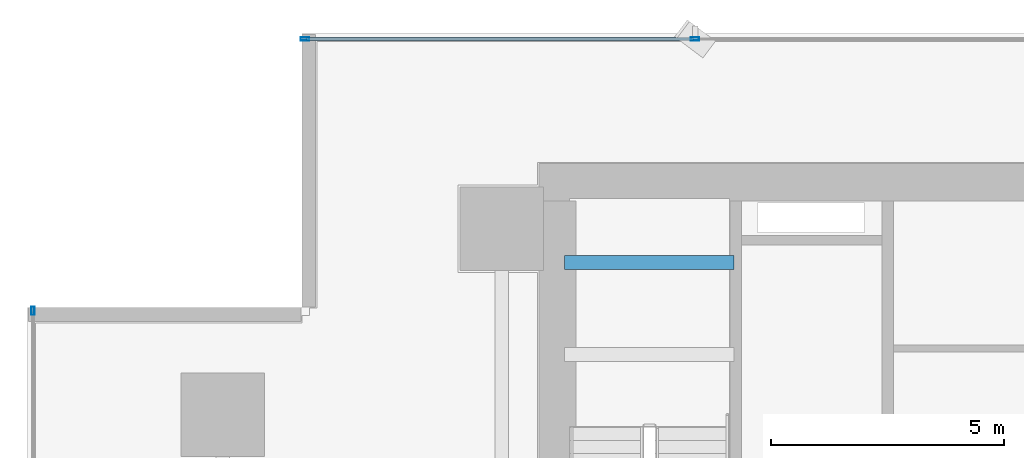
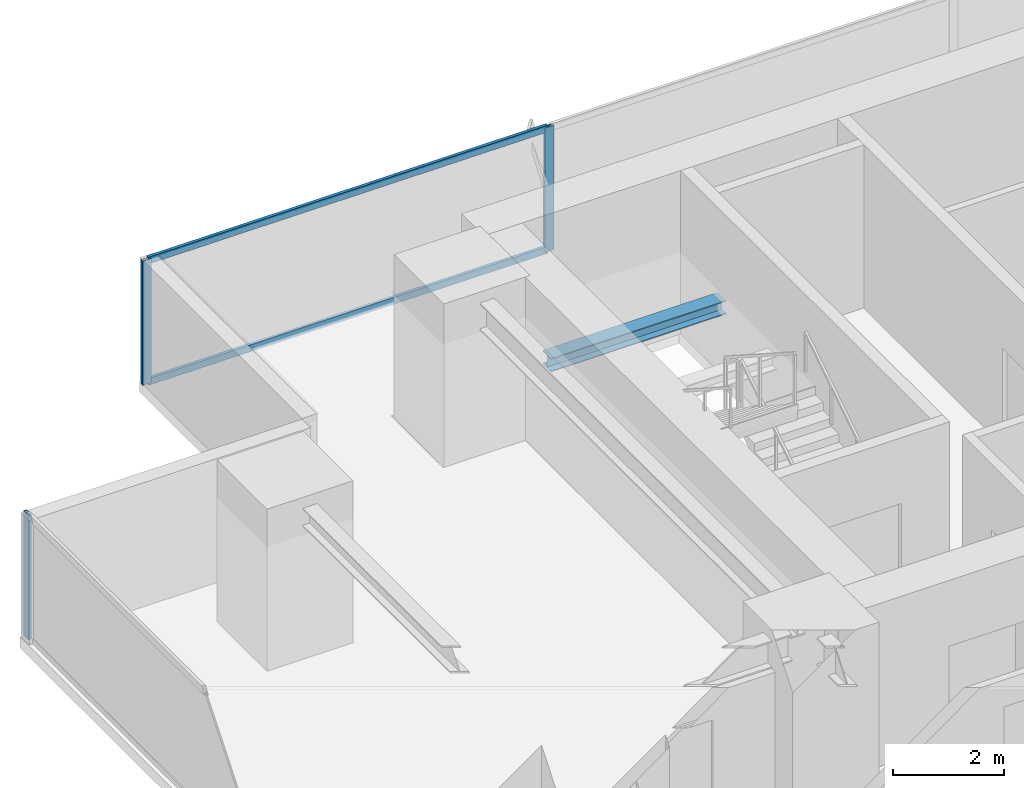
# One storey, part 17 of 32: 5 members, 1 beam, 2 elements without a shape of their own.
"""IFC4 building model written with IfcOpenShell, lengths in metres."""

from ifc_helpers import new_model, si_unit, direction, frame, origin, origin_2d, place, context, subcontext, project, spatial, hollow_rectangle, i_section, extrude, source, transform, mapped, material, layer, layer_set, material_profile, profile_set, type_object, element, aggregate, save


model = new_model("IFC4")

# Units and contexts
model_context = context("Model", 3, precision=1e-05, world=origin(), true_north=direction((0.0, 1.0)))
body_context = subcontext(model_context, "Body", "Model", "MODEL_VIEW")
ifc_project = project(units=[si_unit("LENGTHUNIT", "METRE"), si_unit("AREAUNIT", "SQUARE_METRE"), si_unit("VOLUMEUNIT", "CUBIC_METRE"), si_unit("PLANEANGLEUNIT", "RADIAN"), si_unit("MASSUNIT", "GRAM", prefix="KILO")], contexts=[model_context])

# Site, building, storey
site_placement = place(None, origin())
site = spatial("IfcSite", under=ifc_project, at=site_placement, CompositionType="ELEMENT")
building_placement = place(site_placement, origin())
building = spatial("IfcBuilding", under=site, at=building_placement, Name="Sumidabori Civic Tower", CompositionType="ELEMENT")
storey_placement = place(building_placement, frame((0.0, 0.0, 48.800048828125)))
storey = spatial("IfcBuildingStorey", under=building, at=storey_placement, Name="L12", CompositionType="ELEMENT", Elevation=48.800048828125)

# Beam
ifc_material_1 = material(Name="Steel SN490", Category="steel")
ifc_material_profile_1 = material_profile(ifc_material_1, i_section(OverallWidth=0.300048828125, OverallDepth=0.300048828125, WebThickness=0.010986328125, FlangeThickness=0.01904296875, at=origin_2d()), Name="HE 300 B")
ifc_profile_set_1 = profile_set([ifc_material_profile_1], Name="Steel SN490")
beam_type = type_object("IfcBeamType", Name="BM-LDG-300", PredefinedType="BEAM", material=ifc_profile_set_1)
shared_shape_1 = source(origin(), body_context, "Body", "SweptSolid", [
    extrude(i_section(OverallWidth=0.300048828125, OverallDepth=0.300048828125, WebThickness=0.010986328125, FlangeThickness=0.01904296875, at=origin_2d()), origin(), (0.0, 0.0, 1.0), 3.64990234375),
])
beam_placement = place(storey_placement, frame((-15.449951171875, 22.069580078125, 1.449951171875), z_axis=(1.0, 0.0, 0.0), x_axis=(0.0, 1.0, 0.0)))
element("IfcBeam", 1, at=beam_placement, inside=storey, type_object=beam_type, Name="Stair ST-1 Landing Trimmer Beam L12-1B", PredefinedType="BEAM", context=body_context, shape_type="MappedRepresentation", body=[
    mapped(shared_shape_1, transform((0.0, 0.0, 0.0), x_axis=(1.0, 0.0, 0.0), y_axis=(0.0, 1.0, 0.0), z_axis=(0.0, 0.0, 1.0), scale=1.0)),
])

# Curtain wall, members
ifc_material_2 = material(Name="Anodised Bronze Aluminium AW-6063-T6", Category="aluminium")
ifc_layer = layer(ifc_material_2, 0.179931640625, Name="Anodised Bronze Aluminium AW-6063-T6")
ifc_layer_set = layer_set([ifc_layer], Name="Anodised Bronze Aluminium AW-6063-T6")
curtain_wall_type = type_object("IfcCurtainWallType", Name="CW-SYS-2", PredefinedType="NOTDEFINED", material=ifc_layer_set)
curtain_wall_1_placement = place(storey_placement, origin())
curtain_wall_1 = element("IfcCurtainWall", 2, at=curtain_wall_1_placement, inside=storey, type_object=curtain_wall_type, Name="Curtain Wall CW:L12:R07", PredefinedType="NOTDEFINED")
ifc_material_profile_2 = material_profile(ifc_material_2, hollow_rectangle(XDim=0.070068359375, YDim=0.179931640625, WallThickness=0.006103515625, at=origin_2d()), Name="ALU MULLION 180x70")
ifc_profile_set_2 = profile_set([ifc_material_profile_2], Name="Anodised Bronze Aluminium AW-6063-T6")
member_type_1 = type_object("IfcMemberType", Name="CW-MUL-180", PredefinedType="MULLION", material=ifc_profile_set_2)
shared_shape_2 = source(origin(), body_context, "Body", "SweptSolid", [
    extrude(hollow_rectangle(XDim=0.070068359375, YDim=0.179931640625, WallThickness=0.006103515625, at=origin_2d()), origin(), (0.0, 0.0, 1.0), 2.739990234375),
])
member_1_placement = place(storey_placement, frame((-12.64208984375, 26.8798828125, 0.0), z_axis=(0.0, 0.0, 1.0), x_axis=(0.0, -1.0, 0.0)))
member_1 = element("IfcMember", 3, at=member_1_placement, type_object=member_type_1, Name="CW-2 mullion 5", PredefinedType="MULLION", context=body_context, shape_type="MappedRepresentation", body=[
    mapped(shared_shape_2, transform((0.0, 0.0, 0.0), x_axis=(1.0, 0.0, 0.0), y_axis=(0.0, 1.0, 0.0), z_axis=(0.0, 0.0, 1.0), scale=1.0)),
])
member_2_placement = place(storey_placement, frame((-21.034912109375, 26.8798828125, 0.0), z_axis=(0.0, 0.0, 1.0), x_axis=(0.0, -1.0, 0.0)))
member_2 = element("IfcMember", 4, at=member_2_placement, type_object=member_type_1, Name="CW-2 mullion 6", PredefinedType="MULLION", context=body_context, shape_type="MappedRepresentation", body=[
    mapped(shared_shape_2, transform((0.0, 0.0, 0.0), x_axis=(1.0, 0.0, 0.0), y_axis=(0.0, 1.0, 0.0), z_axis=(0.0, 0.0, 1.0), scale=1.0)),
])

# Curtain wall, member
curtain_wall_2_placement = place(storey_placement, origin())
curtain_wall_2 = element("IfcCurtainWall", 5, at=curtain_wall_2_placement, inside=storey, type_object=curtain_wall_type, Name="Curtain Wall CW:L12:R10", PredefinedType="NOTDEFINED")
member_3_placement = place(storey_placement, frame((-26.8798828125, 21.034912109375, 0.0), z_axis=(0.0, 0.0, 1.0), x_axis=(1.0, 0.0, 0.0)))
member_3 = element("IfcMember", 6, at=member_3_placement, type_object=member_type_1, Name="CW-2 mullion 1", PredefinedType="MULLION", context=body_context, shape_type="MappedRepresentation", body=[
    mapped(shared_shape_2, transform((0.0, 0.0, 0.0), x_axis=(1.0, 0.0, 0.0), y_axis=(0.0, 1.0, 0.0), z_axis=(0.0, 0.0, 1.0), scale=1.0)),
])
aggregate(curtain_wall_2, [member_3])

# Member
ifc_material_profile_3 = material_profile(ifc_material_2, hollow_rectangle(XDim=0.06494140625, YDim=0.14990234375, WallThickness=0.0048828125, at=origin_2d()), Name="ALU TRANSOM 150x65")
ifc_profile_set_3 = profile_set([ifc_material_profile_3], Name="Anodised Bronze Aluminium AW-6063-T6")
member_type_2 = type_object("IfcMemberType", Name="CW-TRN-150", PredefinedType="USERDEFINED", material=ifc_profile_set_3)
shared_shape_3 = source(origin(), body_context, "Body", "SweptSolid", [
    extrude(hollow_rectangle(XDim=0.06494140625, YDim=0.14990234375, WallThickness=0.0048828125, at=origin_2d()), origin(), (0.0, 0.0, 1.0), 8.322998046875),
])
member_4_placement = place(storey_placement, frame((-12.677001953125, 26.8798828125, 0.032470703125), z_axis=(-1.0, 0.0, 0.0), x_axis=(0.0, -1.0, 0.0)))
member_4 = element("IfcMember", 7, at=member_4_placement, type_object=member_type_2, Name="CW-2 transom 5.1", ObjectType="TRANSOM", PredefinedType="USERDEFINED", context=body_context, shape_type="MappedRepresentation", body=[
    mapped(shared_shape_3, transform((0.0, 0.0, 0.0), x_axis=(1.0, 0.0, 0.0), y_axis=(0.0, 1.0, 0.0), z_axis=(0.0, 0.0, 1.0), scale=1.0)),
])

member_5_placement = place(storey_placement, frame((-12.677001953125, 26.8798828125, 2.70751953125), z_axis=(-1.0, 0.0, 0.0), x_axis=(0.0, -1.0, 0.0)))
member_5 = element("IfcMember", 8, at=member_5_placement, type_object=member_type_2, Name="CW-2 transom 5.2", ObjectType="TRANSOM", PredefinedType="USERDEFINED", context=body_context, shape_type="MappedRepresentation", body=[
    mapped(shared_shape_3, transform((0.0, 0.0, 0.0), x_axis=(1.0, 0.0, 0.0), y_axis=(0.0, 1.0, 0.0), z_axis=(0.0, 0.0, 1.0), scale=1.0)),
])

aggregate(curtain_wall_1, [member_1, member_2, member_4, member_5])

save(model, "model.ifc")
